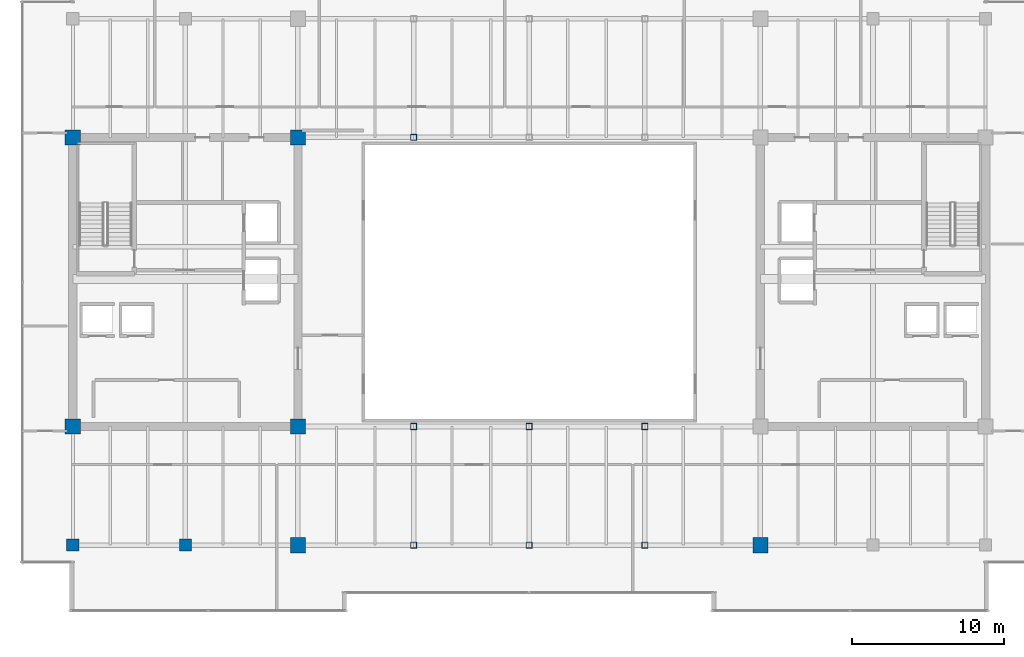
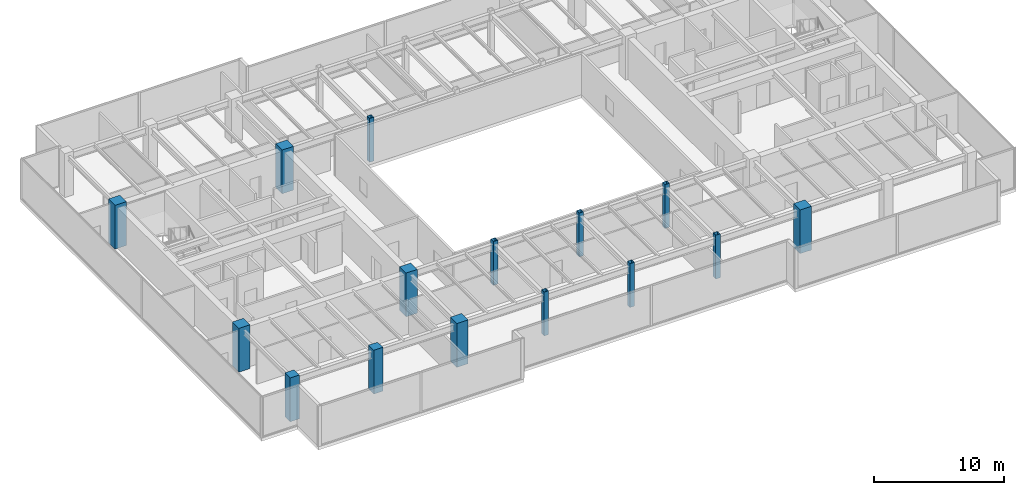
# One storey, part 1 of 33: 15 columns.
"""IFC4 building model written with IfcOpenShell, lengths in metres."""

from ifc_helpers import new_model, si_unit, direction, frame, origin, origin_2d, place, context, subcontext, project, spatial, rectangle, hollow_rectangle, extrude, source, transform, mapped, material, material_profile, profile_set, type_object, type_shapes, element, save


model = new_model("IFC4")

# Units and contexts
model_context = context("Model", 3, precision=1e-05, world=origin(), true_north=direction((0.0, 1.0)))
body_context = subcontext(model_context, "Body", "Model", "MODEL_VIEW")
ifc_project = project(units=[si_unit("LENGTHUNIT", "METRE"), si_unit("AREAUNIT", "SQUARE_METRE"), si_unit("VOLUMEUNIT", "CUBIC_METRE"), si_unit("PLANEANGLEUNIT", "RADIAN"), si_unit("MASSUNIT", "GRAM", prefix="KILO")], contexts=[model_context])

# Site, building, storey
site_placement = place(None, origin())
site = spatial("IfcSite", under=ifc_project, at=site_placement, CompositionType="ELEMENT")
building_placement = place(site_placement, origin())
building = spatial("IfcBuilding", under=site, at=building_placement, Name="Haelvirn Gate Laboratories", CompositionType="ELEMENT")
storey_placement = place(building_placement, frame((0.0, 0.0, 230.10009765625)))
storey = spatial("IfcBuildingStorey", under=building, at=storey_placement, Name="L55", CompositionType="ELEMENT", Elevation=230.10009765625)

# Columns
ifc_material_1 = material(Name="Concrete C60/75", Category="concrete")
ifc_material_profile_1 = material_profile(ifc_material_1, rectangle(XDim=1.0, YDim=1.0, at=origin_2d()), Name="RC-1000x1000")
ifc_profile_set_1 = profile_set([ifc_material_profile_1], Name="Concrete C60/75")
column_type_1 = type_object("IfcColumnType", Name="COL-RC-1000", PredefinedType="COLUMN", material=ifc_profile_set_1)
shared_shape_1 = source(origin(), body_context, "Body", "SweptSolid", [
    extrude(rectangle(XDim=1.0, YDim=1.0, at=origin_2d()), origin(), (0.0, 0.0, 1.0), 4.099853515625),
])
type_shapes(column_type_1, [shared_shape_1])
for number, where, z_axis, x_axis, name in (
    (1, (22.199951171875, 7.0, 0.0), (0.0, 0.0, 1.0), (1.0, 0.0, 0.0), "L55 Column 4B"),
    (2, (7.39990234375, 14.800048828125, 0.0), (0.0, 0.0, 1.0), (1.0, 0.0, 0.0), "L55 Column 2C"),
    (3, (22.199951171875, 14.800048828125, 0.0), (0.0, 0.0, 1.0), (1.0, 0.0, 0.0), "L55 Column 4C"),
    (4, (7.39990234375, 33.800048828125, 0.0), (0.0, 0.0, 1.0), (1.0, 0.0, 0.0), "L55 Column 2F"),
    (5, (22.199951171875, 33.800048828125, 0.0), (0.0, 0.0, 1.0), (1.0, 0.0, 0.0), "L55 Column 4F"),
    (6, (52.60009765625, 7.0, 0.0), (0.0, 0.0, 1.0), (1.0, 0.0, 0.0), "L55 Column 8B"),
):
    element("IfcColumn", number, at=place(storey_placement, frame(where, z_axis=z_axis, x_axis=x_axis)), inside=storey, type_object=column_type_1, Name=name, PredefinedType="COLUMN", context=body_context, shape_type="MappedRepresentation", body=[
        mapped(shared_shape_1, transform((0.0, 0.0, 0.0), scale=1.0)),
    ])
ifc_material_2 = material(Name="Concrete C50/60", Category="concrete")
ifc_material_profile_2 = material_profile(ifc_material_2, rectangle(XDim=0.800048828125, YDim=0.800048828125, at=origin_2d()), Name="RC-800x800")
ifc_profile_set_2 = profile_set([ifc_material_profile_2], Name="Concrete C50/60")
column_type_2 = type_object("IfcColumnType", Name="COL-RC-800", PredefinedType="COLUMN", material=ifc_profile_set_2)
shared_shape_2 = source(origin(), body_context, "Body", "SweptSolid", [
    extrude(rectangle(XDim=0.800048828125, YDim=0.800048828125, at=origin_2d()), origin(), (0.0, 0.0, 1.0), 4.099853515625),
])
type_shapes(column_type_2, [shared_shape_2])
for number, where, z_axis, x_axis, name in (
    (7, (14.800048828125, 7.0, 0.0), (0.0, 0.0, 1.0), (1.0, 0.0, 0.0), "L55 Column 3B"),
    (8, (7.39990234375, 7.0, 0.0), (0.0, 0.0, 1.0), (1.0, 0.0, 0.0), "L55 Column 2B"),
):
    element("IfcColumn", number, at=place(storey_placement, frame(where, z_axis=z_axis, x_axis=x_axis)), inside=storey, type_object=column_type_2, Name=name, PredefinedType="COLUMN", context=body_context, shape_type="MappedRepresentation", body=[
        mapped(shared_shape_2, transform((0.0, 0.0, 0.0), scale=1.0)),
    ])
ifc_material_3 = material(Name="Steel SM355", Category="steel")
ifc_material_profile_3 = material_profile(ifc_material_3, hollow_rectangle(XDim=0.39990234375, YDim=0.39990234375, WallThickness=0.01904296875, at=origin_2d()), Name="BOX-400x400x19")
ifc_profile_set_3 = profile_set([ifc_material_profile_3], Name="Steel SM355")
column_type_3 = type_object("IfcColumnType", Name="COL-BOX-400", PredefinedType="COLUMN", material=ifc_profile_set_3)
shared_shape_3 = source(origin(), body_context, "Body", "SweptSolid", [
    extrude(hollow_rectangle(XDim=0.39990234375, YDim=0.39990234375, WallThickness=0.01904296875, at=origin_2d()), origin(), (0.0, 0.0, 1.0), 4.099853515625),
])
type_shapes(column_type_3, [shared_shape_3])
for number, where, z_axis, x_axis, name in (
    (9, (29.800048828125, 7.0, 0.0), (0.0, 0.0, 1.0), (1.0, 0.0, 0.0), "L55 Column 5B"),
    (10, (29.800048828125, 14.800048828125, 0.0), (0.0, 0.0, 1.0), (1.0, 0.0, 0.0), "L55 Column 5C"),
    (11, (29.800048828125, 33.800048828125, 0.0), (0.0, 0.0, 1.0), (1.0, 0.0, 0.0), "L55 Column 5F"),
    (12, (37.39990234375, 7.0, 0.0), (0.0, 0.0, 1.0), (1.0, 0.0, 0.0), "L55 Column 6B"),
    (13, (37.39990234375, 14.800048828125, 0.0), (0.0, 0.0, 1.0), (1.0, 0.0, 0.0), "L55 Column 6C"),
    (14, (45.0, 7.0, 0.0), (0.0, 0.0, 1.0), (1.0, 0.0, 0.0), "L55 Column 7B"),
    (15, (45.0, 14.800048828125, 0.0), (0.0, 0.0, 1.0), (1.0, 0.0, 0.0), "L55 Column 7C"),
):
    element("IfcColumn", number, at=place(storey_placement, frame(where, z_axis=z_axis, x_axis=x_axis)), inside=storey, type_object=column_type_3, Name=name, PredefinedType="COLUMN", context=body_context, shape_type="MappedRepresentation", body=[
        mapped(shared_shape_3, transform((0.0, 0.0, 0.0), scale=1.0)),
    ])

save(model, "model.ifc")
